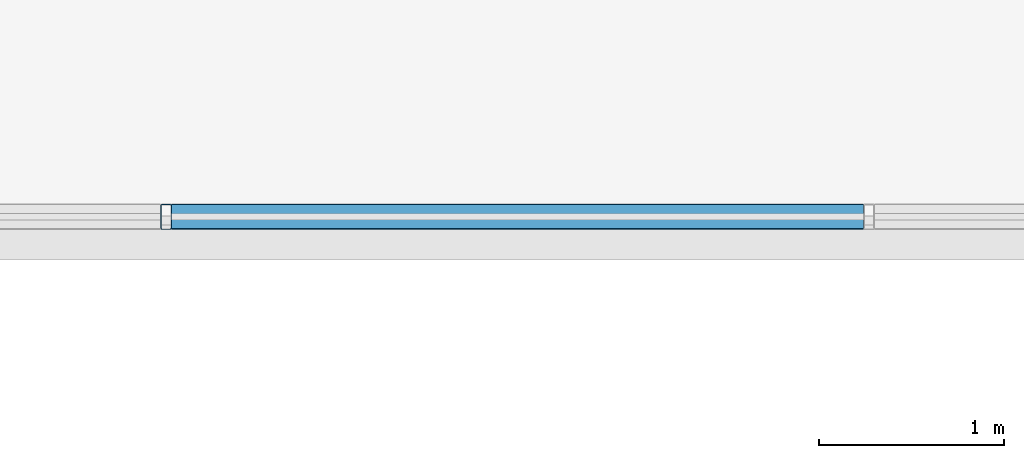
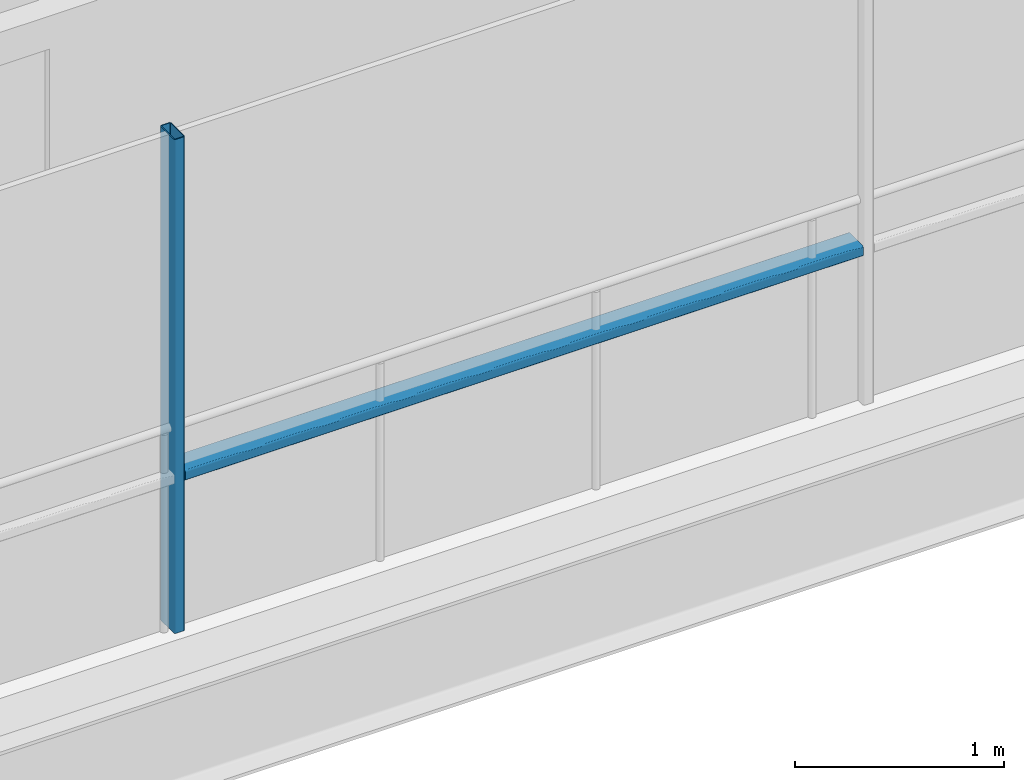
# One storey, part 13 of 41: 2 members, 1 element without a shape of its own.
"""IFC4 building model written with IfcOpenShell, lengths in metres."""

from ifc_helpers import new_model, si_unit, direction, frame, origin, origin_2d, place, context, subcontext, project, spatial, hollow_rectangle, extrude, material, layer, layer_set, material_profile, profile_set, type_object, element, aggregate, save


model = new_model("IFC4")

# Units and contexts
model_context = context("Model", 3, precision=1e-05, world=origin(), true_north=direction((0.0, 1.0)))
body_context = subcontext(model_context, "Body", "Model", "MODEL_VIEW")
ifc_project = project(units=[si_unit("LENGTHUNIT", "METRE"), si_unit("AREAUNIT", "SQUARE_METRE"), si_unit("VOLUMEUNIT", "CUBIC_METRE"), si_unit("PLANEANGLEUNIT", "RADIAN"), si_unit("MASSUNIT", "GRAM", prefix="KILO")], contexts=[model_context])

# Site, building, storey
site_placement = place(None, origin())
site = spatial("IfcSite", under=ifc_project, at=site_placement, CompositionType="ELEMENT")
building_placement = place(site_placement, origin())
building = spatial("IfcBuilding", under=site, at=building_placement, Name="Brevholm Reach", CompositionType="ELEMENT")
storey_placement = place(building_placement, frame((0.0, 0.0, 144.89990234375)))
storey = spatial("IfcBuildingStorey", under=building, at=storey_placement, Name="L43", CompositionType="ELEMENT", Elevation=144.89990234375)

# Curtain wall, members
ifc_material_1 = material(Name="Dark Anodised Aluminium 6063-T6 and Solar-Control Glass", Category="aluminium")
ifc_layer = layer(ifc_material_1, 0.139892578125)
ifc_layer_set = layer_set([ifc_layer], Name="Dark Anodised Aluminium 6063-T6 and Solar-Control Glass")
curtain_wall_type = type_object("IfcCurtainWallType", Name="CW-02", PredefinedType="NOTDEFINED", material=ifc_layer_set)
curtain_wall_placement = place(storey_placement, origin())
curtain_wall = element("IfcCurtainWall", 1, at=curtain_wall_placement, inside=storey, type_object=curtain_wall_type, Name="L43 Curtain Wall CW-02", PredefinedType="NOTDEFINED")
ifc_material_2 = material(Name="Dark Anodised Aluminium 6063-T6", Category="aluminium")
ifc_material_profile_1 = material_profile(ifc_material_2, hollow_rectangle(XDim=0.06005859375, YDim=0.139892578125, WallThickness=0.0048828125, InnerFilletRadius=0.0048828125, OuterFilletRadius=0.010009765625, at=origin_2d()), Name="RHS 140x60x5")
ifc_profile_set_1 = profile_set([ifc_material_profile_1], Name="Dark Anodised Aluminium 6063-T6")
member_type_1 = type_object("IfcMemberType", Name="CWM-140", PredefinedType="MULLION", material=ifc_profile_set_1)
member_1_placement = place(storey_placement, frame((30.050048828125, 26.6201171875, 0.0), z_axis=(0.0, 0.0, 1.0), x_axis=(-1.0, 0.0, 0.0)))
member_1 = element("IfcMember", 2, at=member_1_placement, type_object=member_type_1, Name="CM-140 Mullion 3", PredefinedType="MULLION", context=body_context, shape_type="SweptSolid", body=[
    extrude(hollow_rectangle(XDim=0.06005859375, YDim=0.139892578125, WallThickness=0.0048828125, InnerFilletRadius=0.0048828125, OuterFilletRadius=0.010009765625, at=origin_2d()), origin(), (0.0, 0.0, 1.0), 2.880126953125),
])
ifc_material_3 = material(Name="Dark Anodised Aluminium 6063-T6", Category="aluminium")
ifc_material_profile_2 = material_profile(ifc_material_3, hollow_rectangle(XDim=0.06005859375, YDim=0.139892578125, WallThickness=0.0048828125, InnerFilletRadius=0.0048828125, OuterFilletRadius=0.010009765625, at=origin_2d()), Name="RHS 140x60x5")
ifc_profile_set_2 = profile_set([ifc_material_profile_2], Name="Dark Anodised Aluminium 6063-T6")
member_type_2 = type_object("IfcMemberType", Name="CWT-140", PredefinedType="NOTDEFINED", material=ifc_profile_set_2)
member_2_placement = place(storey_placement, frame((33.820068359375, 26.6201171875, 0.900146484375), z_axis=(-1.0, 0.0, 0.0), x_axis=(0.0, 0.0, 1.0)))
member_2 = element("IfcMember", 3, at=member_2_placement, type_object=member_type_2, Name="CT-140 Transom 2.1", ObjectType="TRANSOM", PredefinedType="USERDEFINED", context=body_context, shape_type="SweptSolid", body=[
    extrude(hollow_rectangle(XDim=0.06005859375, YDim=0.139892578125, WallThickness=0.0048828125, InnerFilletRadius=0.0048828125, OuterFilletRadius=0.010009765625, at=origin_2d()), origin(), (0.0, 0.0, 1.0), 3.739990234375),
])
aggregate(curtain_wall, [member_1, member_2])

save(model, "model.ifc")
